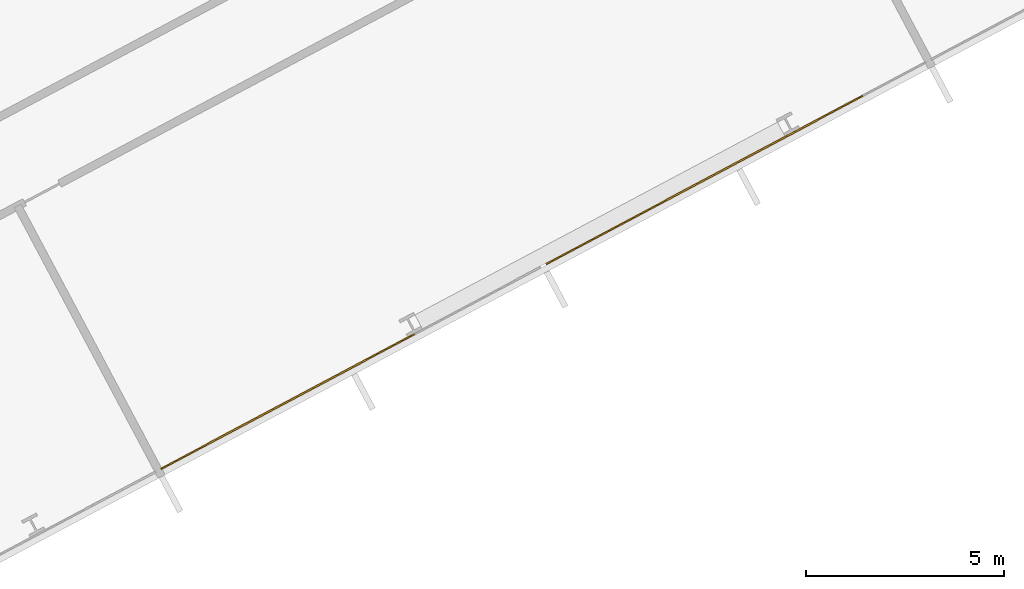
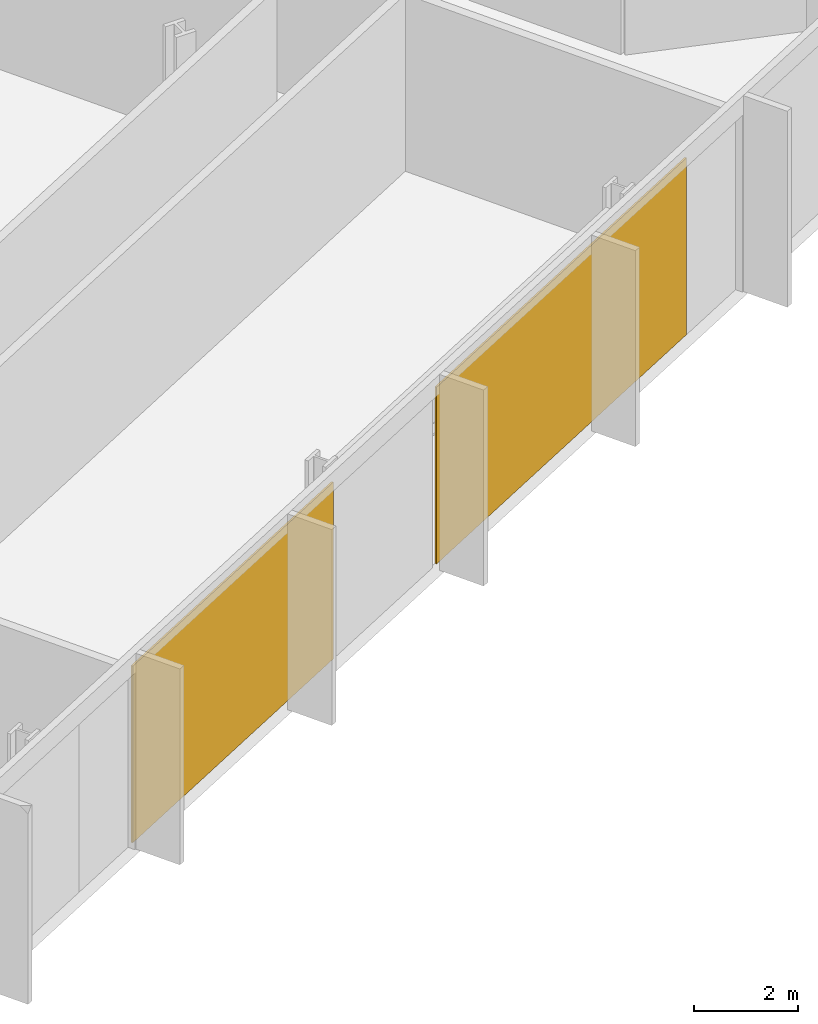
# One storey, part 28 of 31: 2 coverings, 1 element without a shape of its own.
"""IFC4 building model written with IfcOpenShell, lengths in metres."""

from ifc_helpers import new_model, si_unit, direction, frame, origin, origin_2d, place, context, subcontext, project, spatial, rectangle, extrude, material, layer, layer_set, type_object, element, aggregate, save


model = new_model("IFC4")

# Units and contexts
model_context = context("Model", 3, precision=1e-05, world=origin(), true_north=direction((0.0, 1.0)))
body_context = subcontext(model_context, "Body", "Model", "MODEL_VIEW")
ifc_project = project(units=[si_unit("LENGTHUNIT", "METRE"), si_unit("AREAUNIT", "SQUARE_METRE"), si_unit("VOLUMEUNIT", "CUBIC_METRE"), si_unit("PLANEANGLEUNIT", "RADIAN"), si_unit("MASSUNIT", "GRAM", prefix="KILO")], contexts=[model_context])

# Site, building, storey
site_placement = place(None, origin())
site = spatial("IfcSite", under=ifc_project, at=site_placement, CompositionType="ELEMENT")
building_placement = place(site_placement, origin())
building = spatial("IfcBuilding", under=site, at=building_placement, Name="Cormorant Relay Tower", CompositionType="ELEMENT")
storey_placement = place(building_placement, frame((0.0, 0.0, 107.60009765625)))
storey = spatial("IfcBuildingStorey", under=building, at=storey_placement, Name="L21", CompositionType="ELEMENT", Elevation=107.60009765625)

# Curtain wall, coverings
ifc_material_1 = material(Name="Aluminium 6063-T6 anodised bronze", Category="aluminium")
ifc_layer_1 = layer(ifc_material_1, 0.199951171875)
ifc_layer_set_1 = layer_set([ifc_layer_1], Name="CW1 unitised bronze curtain wall with vertical fins")
curtain_wall_type = type_object("IfcCurtainWallType", Name="CW1 unitised bronze curtain wall with vertical fins", PredefinedType="NOTDEFINED", material=ifc_layer_set_1)
curtain_wall_placement = place(storey_placement, origin())
curtain_wall = element("IfcCurtainWall", 1, at=curtain_wall_placement, inside=storey, type_object=curtain_wall_type, Name="CW1 curtain wall 2", PredefinedType="NOTDEFINED")
ifc_material_2 = material(Name="Pale bronze anodised aluminium insulated panel", Category="aluminium")
ifc_layer_2 = layer(ifc_material_2, 0.0400390625)
ifc_layer_set_2 = layer_set([ifc_layer_2], Name="CW1 pale bronze insulated panel 40")
covering_type = type_object("IfcCoveringType", Name="CW1 pale bronze insulated panel 40", PredefinedType="CLADDING", material=ifc_layer_set_2)
covering_1_placement = place(storey_placement, frame((49.735595703125, 2.63818359375, 0.0), z_axis=(0.0, 0.0, 1.0), x_axis=(0.882947592859, 0.469471562786, 0.0)))
covering_1 = element("IfcCovering", 2, at=covering_1_placement, type_object=covering_type, Name="CW1 panel S09", PredefinedType="CLADDING", context=body_context, shape_type="SweptSolid", body=[
    extrude(rectangle(XDim=7.273681640625, YDim=0.0400390625, at=origin_2d()), origin(), (0.0, 0.0, 1.0), 4.14990234375),
])
covering_2_placement = place(storey_placement, frame((60.263671875, 8.236083984375, 0.0), z_axis=(0.0, 0.0, 1.0), x_axis=(0.882947592859, 0.469471562786, 0.0)))
covering_2 = element("IfcCovering", 3, at=covering_2_placement, type_object=covering_type, Name="CW1 panel S11", PredefinedType="CLADDING", context=body_context, shape_type="SweptSolid", body=[
    extrude(rectangle(XDim=9.07373046875, YDim=0.0400390625, at=origin_2d()), origin(), (0.0, 0.0, 1.0), 4.14990234375),
])
aggregate(curtain_wall, [covering_1, covering_2])

save(model, "model.ifc")
